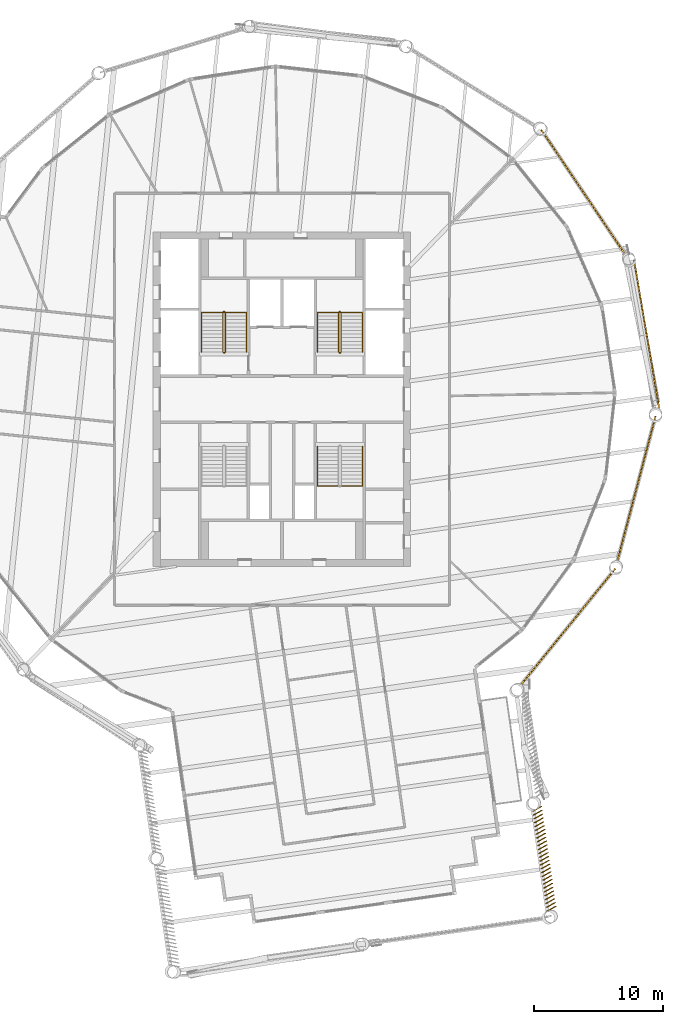
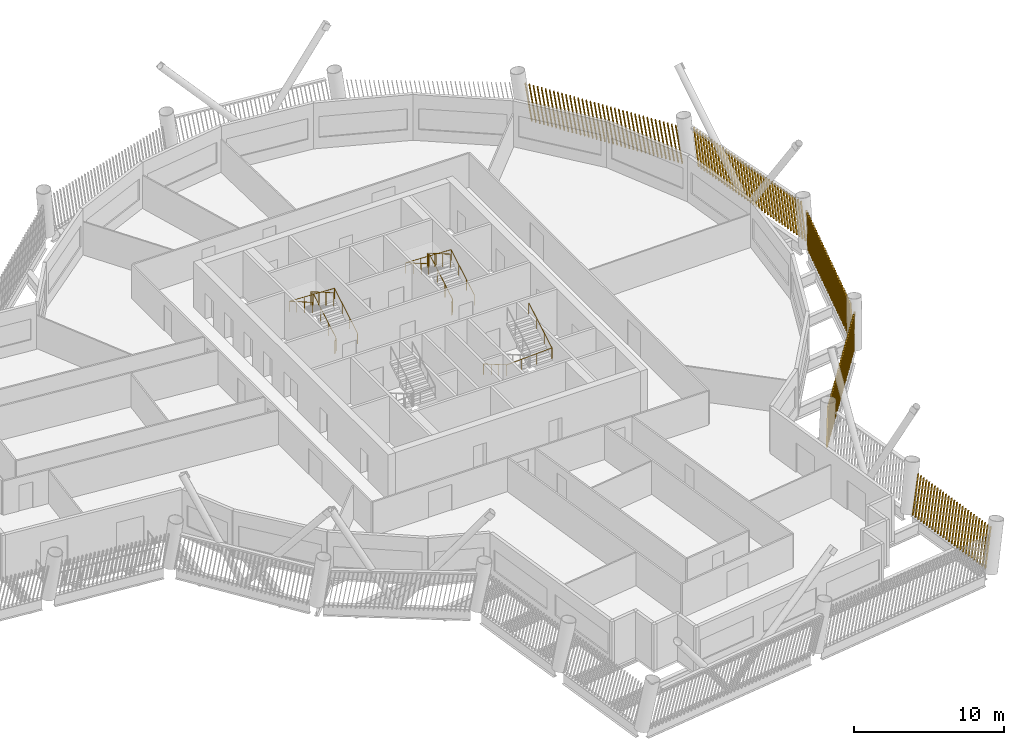
# One storey, part 20 of 22: 5 railings, 5 shading devices.
"""IFC4 building model written with IfcOpenShell, lengths in metres."""

from ifc_helpers import new_model, si_unit, direction, frame, frame_2d, origin, origin_2d, place, context, subcontext, project, spatial, rectangle, circle, composite_profile, extrude, material, type_object, element, save


model = new_model("IFC4")

# Units and contexts
model_context = context("Model", 3, precision=1e-05, world=origin(), true_north=direction((0.0, 1.0)))
body_context = subcontext(model_context, "Body", "Model", "MODEL_VIEW")
ifc_project = project(units=[si_unit("LENGTHUNIT", "METRE"), si_unit("AREAUNIT", "SQUARE_METRE"), si_unit("VOLUMEUNIT", "CUBIC_METRE"), si_unit("PLANEANGLEUNIT", "RADIAN"), si_unit("MASSUNIT", "GRAM", prefix="KILO")], contexts=[model_context])

# Site, building, storey
site_placement = place(None, origin())
site = spatial("IfcSite", under=ifc_project, at=site_placement, CompositionType="ELEMENT")
building_placement = place(site_placement, origin())
building = spatial("IfcBuilding", under=site, at=building_placement, Name="Tarsis Ring Headquarters", CompositionType="ELEMENT")
storey_placement = place(building_placement, frame((0.0, 0.0, 263.0)))
storey = spatial("IfcBuildingStorey", under=building, at=storey_placement, Name="L61", CompositionType="ELEMENT", Elevation=263.0)

# Railings
ifc_material_1 = material(Name="Steel S355", Category="steel")
railing_type_1 = type_object("IfcRailingType", Name="Core stair guard 1100", PredefinedType="GUARDRAIL", material=ifc_material_1)
railing_1_placement = place(storey_placement, frame((-4.5400390625, 3.610107421875, 0.0)))
element("IfcRailing", 1, at=railing_1_placement, inside=storey, type_object=railing_type_1, Name="L61 ST1 stair guard 1", PredefinedType="GUARDRAIL", context=body_context, shape_type="SweptSolid", body=[
    extrude(circle(Radius=0.02392578125, at=origin_2d()), frame((0.0, 0.0, 1.076171875), z_axis=(1.0, 0.0, 0.0), x_axis=(0.0, 1.0, 0.0)), (0.0, 0.0, 1.0), 0.080078125),
    extrude(circle(Radius=0.02392578125, at=origin_2d()), frame((0.080078125, 0.0, 1.076171875), z_axis=(0.282336740067, 0.280959487676, 0.917250092119), x_axis=(-0.705375805398, 0.708833529934, 0.0)), (0.0, 0.0, 1.0), 0.17724609375),
    extrude(circle(Radius=0.02392578125, at=origin_2d()), frame((0.130126953125, 0.0498046875, 1.23876953125), z_axis=(0.0, 0.864920483161, 0.501908913857), x_axis=(-1.0, 0.0, 0.0)), (0.0, 0.0, 1.0), 3.56103515625),
    extrude(circle(Radius=0.02392578125, at=origin_2d()), frame((0.130126953125, 3.1298828125, 3.02587890625), z_axis=(-0.707106781187, 0.707106781187, 0.0), x_axis=(-0.707106781187, -0.707106781187, 0.0)), (0.0, 0.0, 1.0), 0.07080078125),
    extrude(circle(Radius=0.02392578125, at=origin_2d()), frame((0.080078125, 3.179931640625, 3.02587890625), z_axis=(-1.0, 0.0, 0.0), x_axis=(0.0, -1.0, 0.0)), (0.0, 0.0, 1.0), 0.080078125),
    extrude(circle(Radius=0.02392578125, at=origin_2d()), frame((0.0, 3.179931640625, 3.02587890625), z_axis=(-0.282227285176, -0.282227285176, 0.916894497205), x_axis=(0.707106781187, -0.707106781187, 0.0)), (0.0, 0.0, 1.0), 0.17724609375),
    extrude(circle(Radius=0.02392578125, at=origin_2d()), frame((-0.050048828125, 3.1298828125, 3.1884765625), z_axis=(0.0, -0.864920483161, 0.501908913857), x_axis=(1.0, 0.0, 0.0)), (0.0, 0.0, 1.0), 3.56103515625),
    extrude(circle(Radius=0.02099609375, at=origin_2d()), origin(), (0.0, 0.0, 1.0), 1.052001953125),
    extrude(circle(Radius=0.02099609375, at=origin_2d()), frame((0.080078125, 0.0, 0.0)), (0.0, 0.0, 1.0), 1.052001953125),
    extrude(circle(Radius=0.02099609375, at=origin_2d()), frame((0.130126953125, 0.0498046875, 0.16259765625)), (0.0, 0.0, 1.0), 1.052001953125),
    extrude(circle(Radius=0.02099609375, at=origin_2d()), frame((0.130126953125, 1.076416015625, 0.75830078125)), (0.0, 0.0, 1.0), 1.052001953125),
    extrude(circle(Radius=0.02099609375, at=origin_2d()), frame((0.130126953125, 2.103271484375, 1.354248046875)), (0.0, 0.0, 1.0), 1.052001953125),
    extrude(circle(Radius=0.02099609375, at=origin_2d()), frame((0.130126953125, 3.1298828125, 1.949951171875)), (0.0, 0.0, 1.0), 1.052001953125),
    extrude(circle(Radius=0.02099609375, at=origin_2d()), frame((0.080078125, 3.179931640625, 1.949951171875)), (0.0, 0.0, 1.0), 1.052001953125),
    extrude(circle(Radius=0.02099609375, at=origin_2d()), frame((0.0, 3.179931640625, 1.949951171875)), (0.0, 0.0, 1.0), 1.052001953125),
    extrude(circle(Radius=0.02099609375, at=origin_2d()), frame((-0.050048828125, 3.1298828125, 2.112548828125)), (0.0, 0.0, 1.0), 1.052001953125),
    extrude(circle(Radius=0.02099609375, at=origin_2d()), frame((-0.050048828125, 2.103271484375, 2.708251953125)), (0.0, 0.0, 1.0), 1.052001953125),
    extrude(circle(Radius=0.02099609375, at=origin_2d()), frame((-0.050048828125, 1.076416015625, 3.30419921875)), (0.0, 0.0, 1.0), 1.052001953125),
    extrude(circle(Radius=0.02099609375, at=origin_2d()), frame((-0.050048828125, 0.0498046875, 3.89990234375)), (0.0, 0.0, 1.0), 1.052001953125),
])
railing_2_placement = place(storey_placement, frame((4.4599609375, 3.610107421875, 0.0)))
element("IfcRailing", 2, at=railing_2_placement, inside=storey, type_object=railing_type_1, Name="L61 ST2 stair guard 1", PredefinedType="GUARDRAIL", context=body_context, shape_type="SweptSolid", body=[
    extrude(circle(Radius=0.02392578125, at=origin_2d()), frame((0.0, 0.0, 1.076171875), z_axis=(1.0, 0.0, 0.0), x_axis=(0.0, 1.0, 0.0)), (0.0, 0.0, 1.0), 0.080078125),
    extrude(circle(Radius=0.02392578125, at=origin_2d()), frame((0.080078125, 0.0, 1.076171875), z_axis=(0.282336740067, 0.280959487676, 0.917250092119), x_axis=(-0.705375805398, 0.708833529934, 0.0)), (0.0, 0.0, 1.0), 0.17724609375),
    extrude(circle(Radius=0.02392578125, at=origin_2d()), frame((0.130126953125, 0.0498046875, 1.23876953125), z_axis=(0.0, 0.864920483161, 0.501908913857), x_axis=(-1.0, 0.0, 0.0)), (0.0, 0.0, 1.0), 3.56103515625),
    extrude(circle(Radius=0.02392578125, at=origin_2d()), frame((0.130126953125, 3.1298828125, 3.02587890625), z_axis=(-0.707106781187, 0.707106781187, 0.0), x_axis=(-0.707106781187, -0.707106781187, 0.0)), (0.0, 0.0, 1.0), 0.07080078125),
    extrude(circle(Radius=0.02392578125, at=origin_2d()), frame((0.080078125, 3.179931640625, 3.02587890625), z_axis=(-1.0, 0.0, 0.0), x_axis=(0.0, -1.0, 0.0)), (0.0, 0.0, 1.0), 0.080078125),
    extrude(circle(Radius=0.02392578125, at=origin_2d()), frame((0.0, 3.179931640625, 3.02587890625), z_axis=(-0.282227285176, -0.282227285176, 0.916894497205), x_axis=(0.707106781187, -0.707106781187, 0.0)), (0.0, 0.0, 1.0), 0.17724609375),
    extrude(circle(Radius=0.02392578125, at=origin_2d()), frame((-0.050048828125, 3.1298828125, 3.1884765625), z_axis=(0.0, -0.864920483161, 0.501908913857), x_axis=(1.0, 0.0, 0.0)), (0.0, 0.0, 1.0), 3.56103515625),
    extrude(circle(Radius=0.02099609375, at=origin_2d()), origin(), (0.0, 0.0, 1.0), 1.052001953125),
    extrude(circle(Radius=0.02099609375, at=origin_2d()), frame((0.080078125, 0.0, 0.0)), (0.0, 0.0, 1.0), 1.052001953125),
    extrude(circle(Radius=0.02099609375, at=origin_2d()), frame((0.130126953125, 0.0498046875, 0.16259765625)), (0.0, 0.0, 1.0), 1.052001953125),
    extrude(circle(Radius=0.02099609375, at=origin_2d()), frame((0.130126953125, 1.076416015625, 0.75830078125)), (0.0, 0.0, 1.0), 1.052001953125),
    extrude(circle(Radius=0.02099609375, at=origin_2d()), frame((0.130126953125, 2.103271484375, 1.354248046875)), (0.0, 0.0, 1.0), 1.052001953125),
    extrude(circle(Radius=0.02099609375, at=origin_2d()), frame((0.130126953125, 3.1298828125, 1.949951171875)), (0.0, 0.0, 1.0), 1.052001953125),
    extrude(circle(Radius=0.02099609375, at=origin_2d()), frame((0.080078125, 3.179931640625, 1.949951171875)), (0.0, 0.0, 1.0), 1.052001953125),
    extrude(circle(Radius=0.02099609375, at=origin_2d()), frame((0.0, 3.179931640625, 1.949951171875)), (0.0, 0.0, 1.0), 1.052001953125),
    extrude(circle(Radius=0.02099609375, at=origin_2d()), frame((-0.050048828125, 3.1298828125, 2.112548828125)), (0.0, 0.0, 1.0), 1.052001953125),
    extrude(circle(Radius=0.02099609375, at=origin_2d()), frame((-0.050048828125, 2.103271484375, 2.708251953125)), (0.0, 0.0, 1.0), 1.052001953125),
    extrude(circle(Radius=0.02099609375, at=origin_2d()), frame((-0.050048828125, 1.076416015625, 3.30419921875)), (0.0, 0.0, 1.0), 1.052001953125),
    extrude(circle(Radius=0.02099609375, at=origin_2d()), frame((-0.050048828125, 0.0498046875, 3.89990234375)), (0.0, 0.0, 1.0), 1.052001953125),
])
railing_type_2 = type_object("IfcRailingType", Name="Core stair handrail 900", PredefinedType="HANDRAIL", material=ifc_material_1)
railing_3_placement = place(storey_placement, frame((-2.75, 3.659912109375, 0.16259765625)))
element("IfcRailing", 3, at=railing_3_placement, inside=storey, type_object=railing_type_2, Name="L61 ST1 stair handrail 1", PredefinedType="HANDRAIL", context=body_context, shape_type="SweptSolid", body=[
    extrude(circle(Radius=0.02392578125, at=origin_2d()), frame((0.0, 0.0, 0.8759765625), z_axis=(0.0, 0.864920483161, 0.501908913857), x_axis=(-1.0, 0.0, 0.0)), (0.0, 0.0, 1.0), 3.56103515625),
    extrude(circle(Radius=0.02392578125, at=origin_2d()), frame((0.0, 3.080078125, 2.6630859375), z_axis=(-0.998922641604, 0.0, 0.046406422943), x_axis=(0.0, -1.0, 0.0)), (0.0, 0.0, 1.0), 3.503662109375),
    extrude(circle(Radius=0.02392578125, at=origin_2d()), frame((-3.5, 3.080078125, 2.82568359375), z_axis=(0.0, -0.864920483161, 0.501908913857), x_axis=(1.0, 0.0, 0.0)), (0.0, 0.0, 1.0), 3.56103515625),
    extrude(circle(Radius=0.02099609375, at=origin_2d()), origin(), (0.0, 0.0, 1.0), 0.851806640625),
    extrude(circle(Radius=0.02099609375, at=origin_2d()), frame((0.0, 1.026611328125, 0.595703125)), (0.0, 0.0, 1.0), 0.851806640625),
    extrude(circle(Radius=0.02099609375, at=origin_2d()), frame((0.0, 2.053466796875, 1.191650390625)), (0.0, 0.0, 1.0), 0.851806640625),
    extrude(circle(Radius=0.02099609375, at=origin_2d()), frame((0.0, 3.080078125, 1.787353515625)), (0.0, 0.0, 1.0), 0.851806640625),
    extrude(circle(Radius=0.02099609375, at=origin_2d()), frame((-1.166748046875, 3.080078125, 1.841552734375)), (0.0, 0.0, 1.0), 0.851806640625),
    extrude(circle(Radius=0.02099609375, at=origin_2d()), frame((-2.333251953125, 3.080078125, 1.895751953125)), (0.0, 0.0, 1.0), 0.851806640625),
    extrude(circle(Radius=0.02099609375, at=origin_2d()), frame((-3.5, 3.080078125, 1.949951171875)), (0.0, 0.0, 1.0), 0.851806640625),
    extrude(circle(Radius=0.02099609375, at=origin_2d()), frame((-3.5, 2.053466796875, 2.545654296875)), (0.0, 0.0, 1.0), 0.851806640625),
    extrude(circle(Radius=0.02099609375, at=origin_2d()), frame((-3.5, 1.026611328125, 3.1416015625)), (0.0, 0.0, 1.0), 0.851806640625),
    extrude(circle(Radius=0.02099609375, at=origin_2d()), frame((-3.5, 0.0, 3.7373046875)), (0.0, 0.0, 1.0), 0.851806640625),
])
railing_4_placement = place(storey_placement, frame((6.25, 3.659912109375, 0.16259765625)))
element("IfcRailing", 4, at=railing_4_placement, inside=storey, type_object=railing_type_2, Name="L61 ST2 stair handrail 1", PredefinedType="HANDRAIL", context=body_context, shape_type="SweptSolid", body=[
    extrude(circle(Radius=0.02392578125, at=origin_2d()), frame((0.0, 0.0, 0.8759765625), z_axis=(0.0, 0.864920483161, 0.501908913857), x_axis=(-1.0, 0.0, 0.0)), (0.0, 0.0, 1.0), 3.56103515625),
    extrude(circle(Radius=0.02392578125, at=origin_2d()), frame((0.0, 3.080078125, 2.6630859375), z_axis=(-0.998922641604, 0.0, 0.046406422943), x_axis=(0.0, -1.0, 0.0)), (0.0, 0.0, 1.0), 3.503662109375),
    extrude(circle(Radius=0.02392578125, at=origin_2d()), frame((-3.5, 3.080078125, 2.82568359375), z_axis=(0.0, -0.864920483161, 0.501908913857), x_axis=(1.0, 0.0, 0.0)), (0.0, 0.0, 1.0), 3.56103515625),
    extrude(circle(Radius=0.02099609375, at=origin_2d()), origin(), (0.0, 0.0, 1.0), 0.851806640625),
    extrude(circle(Radius=0.02099609375, at=origin_2d()), frame((0.0, 1.026611328125, 0.595703125)), (0.0, 0.0, 1.0), 0.851806640625),
    extrude(circle(Radius=0.02099609375, at=origin_2d()), frame((0.0, 2.053466796875, 1.191650390625)), (0.0, 0.0, 1.0), 0.851806640625),
    extrude(circle(Radius=0.02099609375, at=origin_2d()), frame((0.0, 3.080078125, 1.787353515625)), (0.0, 0.0, 1.0), 0.851806640625),
    extrude(circle(Radius=0.02099609375, at=origin_2d()), frame((-1.166748046875, 3.080078125, 1.841552734375)), (0.0, 0.0, 1.0), 0.851806640625),
    extrude(circle(Radius=0.02099609375, at=origin_2d()), frame((-2.333251953125, 3.080078125, 1.895751953125)), (0.0, 0.0, 1.0), 0.851806640625),
    extrude(circle(Radius=0.02099609375, at=origin_2d()), frame((-3.5, 3.080078125, 1.949951171875)), (0.0, 0.0, 1.0), 0.851806640625),
    extrude(circle(Radius=0.02099609375, at=origin_2d()), frame((-3.5, 2.053466796875, 2.545654296875)), (0.0, 0.0, 1.0), 0.851806640625),
    extrude(circle(Radius=0.02099609375, at=origin_2d()), frame((-3.5, 1.026611328125, 3.1416015625)), (0.0, 0.0, 1.0), 0.851806640625),
    extrude(circle(Radius=0.02099609375, at=origin_2d()), frame((-3.5, 0.0, 3.7373046875)), (0.0, 0.0, 1.0), 0.851806640625),
])
railing_5_placement = place(storey_placement, frame((2.75, -3.659912109375, 0.16259765625)))
element("IfcRailing", 5, at=railing_5_placement, inside=storey, type_object=railing_type_2, Name="L61 ST4 stair handrail 1", PredefinedType="HANDRAIL", context=body_context, shape_type="SweptSolid", body=[
    extrude(circle(Radius=0.02392578125, at=origin_2d()), frame((0.0, 0.0, 0.8759765625), z_axis=(0.0, -0.864920483161, 0.501908913857), x_axis=(1.0, 0.0, 0.0)), (0.0, 0.0, 1.0), 3.56103515625),
    extrude(circle(Radius=0.02392578125, at=origin_2d()), frame((0.0, -3.080078125, 2.6630859375), z_axis=(0.998922641604, 0.0, 0.046406422943), x_axis=(0.0, 1.0, 0.0)), (0.0, 0.0, 1.0), 3.503662109375),
    extrude(circle(Radius=0.02392578125, at=origin_2d()), frame((3.5, -3.080078125, 2.82568359375), z_axis=(0.0, 0.864920483161, 0.501908913857), x_axis=(-1.0, 0.0, 0.0)), (0.0, 0.0, 1.0), 3.56103515625),
    extrude(circle(Radius=0.02099609375, at=origin_2d()), origin(), (0.0, 0.0, 1.0), 0.851806640625),
    extrude(circle(Radius=0.02099609375, at=origin_2d()), frame((0.0, -1.026611328125, 0.595703125)), (0.0, 0.0, 1.0), 0.851806640625),
    extrude(circle(Radius=0.02099609375, at=origin_2d()), frame((0.0, -2.053466796875, 1.191650390625)), (0.0, 0.0, 1.0), 0.851806640625),
    extrude(circle(Radius=0.02099609375, at=origin_2d()), frame((0.0, -3.080078125, 1.787353515625)), (0.0, 0.0, 1.0), 0.851806640625),
    extrude(circle(Radius=0.02099609375, at=origin_2d()), frame((1.166748046875, -3.080078125, 1.841552734375)), (0.0, 0.0, 1.0), 0.851806640625),
    extrude(circle(Radius=0.02099609375, at=origin_2d()), frame((2.333251953125, -3.080078125, 1.895751953125)), (0.0, 0.0, 1.0), 0.851806640625),
    extrude(circle(Radius=0.02099609375, at=origin_2d()), frame((3.5, -3.080078125, 1.949951171875)), (0.0, 0.0, 1.0), 0.851806640625),
    extrude(circle(Radius=0.02099609375, at=origin_2d()), frame((3.5, -2.053466796875, 2.545654296875)), (0.0, 0.0, 1.0), 0.851806640625),
    extrude(circle(Radius=0.02099609375, at=origin_2d()), frame((3.5, -1.026611328125, 3.1416015625)), (0.0, 0.0, 1.0), 0.851806640625),
    extrude(circle(Radius=0.02099609375, at=origin_2d()), frame((3.5, 0.0, 3.7373046875)), (0.0, 0.0, 1.0), 0.851806640625),
])

# Shading devices
ifc_material_2 = material(Name="Terracotta baguette", Category="masonry")
shading_device_type = type_object("IfcShadingDeviceType", Name="Terracotta baguette screen", PredefinedType="USERDEFINED", material=ifc_material_2)
shading_device_1_placement = place(storey_placement, frame((20.62646484375, -39.785400390625, 0.0), z_axis=(0.0, 0.0, 1.0), x_axis=(-0.141250617894, 0.989959218982, 0.0)))
element("IfcShadingDevice", 6, at=shading_device_1_placement, inside=storey, type_object=shading_device_type, Name="Baguette screen L61-05", ObjectType="Terracotta baguette screen", PredefinedType="USERDEFINED", context=body_context, shape_type="SweptSolid", body=[
    extrude(composite_profile([rectangle(XDim=0.06005859375, YDim=0.1201171875, at=frame_2d((0.030029296875, 0.0))), rectangle(XDim=0.06005859375, YDim=0.1201171875, at=frame_2d((0.33154296875, 0.0))), rectangle(XDim=0.06005859375, YDim=0.1201171875, at=frame_2d((0.63330078125, 0.0))), rectangle(XDim=0.06005859375, YDim=0.1201171875, at=frame_2d((0.934814453125, 0.0))), rectangle(XDim=0.06005859375, YDim=0.1201171875, at=frame_2d((1.236572265625, 0.0))), rectangle(XDim=0.06005859375, YDim=0.1201171875, at=frame_2d((1.5380859375, 0.0))), rectangle(XDim=0.06005859375, YDim=0.1201171875, at=frame_2d((1.83984375, 0.0))), rectangle(XDim=0.06005859375, YDim=0.1201171875, at=frame_2d((2.141357421875, 0.0))), rectangle(XDim=0.06005859375, YDim=0.1201171875, at=frame_2d((2.443115234375, 0.0))), rectangle(XDim=0.06005859375, YDim=0.1201171875, at=frame_2d((2.74462890625, 0.0))), rectangle(XDim=0.06005859375, YDim=0.1201171875, at=frame_2d((3.04638671875, 0.0))), rectangle(XDim=0.06005859375, YDim=0.1201171875, at=frame_2d((3.347900390625, 0.0))), rectangle(XDim=0.06005859375, YDim=0.1201171875, at=frame_2d((3.649658203125, 0.0))), rectangle(XDim=0.06005859375, YDim=0.1201171875, at=frame_2d((3.951171875, 0.0))), rectangle(XDim=0.06005859375, YDim=0.1201171875, at=frame_2d((4.252685546875, 0.0))), rectangle(XDim=0.06005859375, YDim=0.1201171875, at=frame_2d((4.554443359375, 0.0))), rectangle(XDim=0.06005859375, YDim=0.1201171875, at=frame_2d((4.85595703125, 0.0))), rectangle(XDim=0.06005859375, YDim=0.1201171875, at=frame_2d((5.15771484375, 0.0))), rectangle(XDim=0.06005859375, YDim=0.1201171875, at=frame_2d((5.459228515625, 0.0))), rectangle(XDim=0.06005859375, YDim=0.1201171875, at=frame_2d((5.760986328125, 0.0))), rectangle(XDim=0.06005859375, YDim=0.1201171875, at=frame_2d((6.0625, 0.0))), rectangle(XDim=0.06005859375, YDim=0.1201171875, at=frame_2d((6.3642578125, 0.0))), rectangle(XDim=0.06005859375, YDim=0.1201171875, at=frame_2d((6.665771484375, 0.0))), rectangle(XDim=0.06005859375, YDim=0.1201171875, at=frame_2d((6.967529296875, 0.0))), rectangle(XDim=0.06005859375, YDim=0.1201171875, at=frame_2d((7.26904296875, 0.0))), rectangle(XDim=0.06005859375, YDim=0.1201171875, at=frame_2d((7.57080078125, 0.0))), rectangle(XDim=0.06005859375, YDim=0.1201171875, at=frame_2d((7.872314453125, 0.0)))]), origin(), (0.086507103146, -0.218461264673, 0.972003702124), 3.05322265625),
])
shading_device_2_placement = place(storey_placement, frame((18.497314453125, -22.266357421875, 0.0), z_axis=(0.0, 0.0, 1.0), x_axis=(0.630385241454, 0.776277807922, 0.0)))
element("IfcShadingDevice", 7, at=shading_device_2_placement, inside=storey, type_object=shading_device_type, Name="Baguette screen L61-07", ObjectType="Terracotta baguette screen", PredefinedType="USERDEFINED", context=body_context, shape_type="SweptSolid", body=[
    extrude(composite_profile([rectangle(XDim=0.06005859375, YDim=0.1201171875, at=frame_2d((0.030029296875, 0.0))), rectangle(XDim=0.06005859375, YDim=0.1201171875, at=frame_2d((0.33251953125, 0.0))), rectangle(XDim=0.06005859375, YDim=0.1201171875, at=frame_2d((0.634765625, 0.0))), rectangle(XDim=0.06005859375, YDim=0.1201171875, at=frame_2d((0.937255859375, 0.0))), rectangle(XDim=0.06005859375, YDim=0.1201171875, at=frame_2d((1.239501953125, 0.0))), rectangle(XDim=0.06005859375, YDim=0.1201171875, at=frame_2d((1.5419921875, 0.0))), rectangle(XDim=0.06005859375, YDim=0.1201171875, at=frame_2d((1.844482421875, 0.0))), rectangle(XDim=0.06005859375, YDim=0.1201171875, at=frame_2d((2.146728515625, 0.0))), rectangle(XDim=0.06005859375, YDim=0.1201171875, at=frame_2d((2.44921875, 0.0))), rectangle(XDim=0.06005859375, YDim=0.1201171875, at=frame_2d((2.751708984375, 0.0))), rectangle(XDim=0.06005859375, YDim=0.1201171875, at=frame_2d((3.053955078125, 0.0))), rectangle(XDim=0.06005859375, YDim=0.1201171875, at=frame_2d((3.3564453125, 0.0))), rectangle(XDim=0.06005859375, YDim=0.1201171875, at=frame_2d((3.65869140625, 0.0))), rectangle(XDim=0.06005859375, YDim=0.1201171875, at=frame_2d((3.961181640625, 0.0))), rectangle(XDim=0.06005859375, YDim=0.1201171875, at=frame_2d((4.263671875, 0.0))), rectangle(XDim=0.06005859375, YDim=0.1201171875, at=frame_2d((4.56591796875, 0.0))), rectangle(XDim=0.06005859375, YDim=0.1201171875, at=frame_2d((4.868408203125, 0.0))), rectangle(XDim=0.06005859375, YDim=0.1201171875, at=frame_2d((5.1708984375, 0.0))), rectangle(XDim=0.06005859375, YDim=0.1201171875, at=frame_2d((5.47314453125, 0.0))), rectangle(XDim=0.06005859375, YDim=0.1201171875, at=frame_2d((5.775634765625, 0.0))), rectangle(XDim=0.06005859375, YDim=0.1201171875, at=frame_2d((6.077880859375, 0.0))), rectangle(XDim=0.06005859375, YDim=0.1201171875, at=frame_2d((6.38037109375, 0.0))), rectangle(XDim=0.06005859375, YDim=0.1201171875, at=frame_2d((6.682861328125, 0.0))), rectangle(XDim=0.06005859375, YDim=0.1201171875, at=frame_2d((6.985107421875, 0.0))), rectangle(XDim=0.06005859375, YDim=0.1201171875, at=frame_2d((7.28759765625, 0.0))), rectangle(XDim=0.06005859375, YDim=0.1201171875, at=frame_2d((7.590087890625, 0.0))), rectangle(XDim=0.06005859375, YDim=0.1201171875, at=frame_2d((7.892333984375, 0.0))), rectangle(XDim=0.06005859375, YDim=0.1201171875, at=frame_2d((8.19482421875, 0.0))), rectangle(XDim=0.06005859375, YDim=0.1201171875, at=frame_2d((8.4970703125, 0.0))), rectangle(XDim=0.06005859375, YDim=0.1201171875, at=frame_2d((8.799560546875, 0.0))), rectangle(XDim=0.06005859375, YDim=0.1201171875, at=frame_2d((9.10205078125, 0.0))), rectangle(XDim=0.06005859375, YDim=0.1201171875, at=frame_2d((9.404296875, 0.0))), rectangle(XDim=0.06005859375, YDim=0.1201171875, at=frame_2d((9.706787109375, 0.0))), rectangle(XDim=0.06005859375, YDim=0.1201171875, at=frame_2d((10.00927734375, 0.0))), rectangle(XDim=0.06005859375, YDim=0.1201171875, at=frame_2d((10.3115234375, 0.0))), rectangle(XDim=0.06005859375, YDim=0.1201171875, at=frame_2d((10.614013671875, 0.0))), rectangle(XDim=0.06005859375, YDim=0.1201171875, at=frame_2d((10.916259765625, 0.0))), rectangle(XDim=0.06005859375, YDim=0.1201171875, at=frame_2d((11.21875, 0.0)))]), origin(), (0.164702656017, 0.001437382629, 0.986342216998), 3.0087890625),
])
shading_device_3_placement = place(storey_placement, frame((26.03076171875, -12.662353515625, 0.0), z_axis=(0.0, 0.0, 1.0), x_axis=(0.254384061116, 0.967097838354, 0.0)))
element("IfcShadingDevice", 8, at=shading_device_3_placement, inside=storey, type_object=shading_device_type, Name="Baguette screen L61-08", ObjectType="Terracotta baguette screen", PredefinedType="USERDEFINED", context=body_context, shape_type="SweptSolid", body=[
    extrude(composite_profile([rectangle(XDim=0.06005859375, YDim=0.1201171875, at=frame_2d((0.030029296875, 0.0))), rectangle(XDim=0.06005859375, YDim=0.1201171875, at=frame_2d((0.33251953125, 0.0))), rectangle(XDim=0.06005859375, YDim=0.1201171875, at=frame_2d((0.634765625, 0.0))), rectangle(XDim=0.06005859375, YDim=0.1201171875, at=frame_2d((0.937255859375, 0.0))), rectangle(XDim=0.06005859375, YDim=0.1201171875, at=frame_2d((1.239501953125, 0.0))), rectangle(XDim=0.06005859375, YDim=0.1201171875, at=frame_2d((1.5419921875, 0.0))), rectangle(XDim=0.06005859375, YDim=0.1201171875, at=frame_2d((1.844482421875, 0.0))), rectangle(XDim=0.06005859375, YDim=0.1201171875, at=frame_2d((2.146728515625, 0.0))), rectangle(XDim=0.06005859375, YDim=0.1201171875, at=frame_2d((2.44921875, 0.0))), rectangle(XDim=0.06005859375, YDim=0.1201171875, at=frame_2d((2.751708984375, 0.0))), rectangle(XDim=0.06005859375, YDim=0.1201171875, at=frame_2d((3.053955078125, 0.0))), rectangle(XDim=0.06005859375, YDim=0.1201171875, at=frame_2d((3.3564453125, 0.0))), rectangle(XDim=0.06005859375, YDim=0.1201171875, at=frame_2d((3.65869140625, 0.0))), rectangle(XDim=0.06005859375, YDim=0.1201171875, at=frame_2d((3.961181640625, 0.0))), rectangle(XDim=0.06005859375, YDim=0.1201171875, at=frame_2d((4.263671875, 0.0))), rectangle(XDim=0.06005859375, YDim=0.1201171875, at=frame_2d((4.56591796875, 0.0))), rectangle(XDim=0.06005859375, YDim=0.1201171875, at=frame_2d((4.868408203125, 0.0))), rectangle(XDim=0.06005859375, YDim=0.1201171875, at=frame_2d((5.1708984375, 0.0))), rectangle(XDim=0.06005859375, YDim=0.1201171875, at=frame_2d((5.47314453125, 0.0))), rectangle(XDim=0.06005859375, YDim=0.1201171875, at=frame_2d((5.775634765625, 0.0))), rectangle(XDim=0.06005859375, YDim=0.1201171875, at=frame_2d((6.077880859375, 0.0))), rectangle(XDim=0.06005859375, YDim=0.1201171875, at=frame_2d((6.38037109375, 0.0))), rectangle(XDim=0.06005859375, YDim=0.1201171875, at=frame_2d((6.682861328125, 0.0))), rectangle(XDim=0.06005859375, YDim=0.1201171875, at=frame_2d((6.985107421875, 0.0))), rectangle(XDim=0.06005859375, YDim=0.1201171875, at=frame_2d((7.28759765625, 0.0))), rectangle(XDim=0.06005859375, YDim=0.1201171875, at=frame_2d((7.590087890625, 0.0))), rectangle(XDim=0.06005859375, YDim=0.1201171875, at=frame_2d((7.892333984375, 0.0))), rectangle(XDim=0.06005859375, YDim=0.1201171875, at=frame_2d((8.19482421875, 0.0))), rectangle(XDim=0.06005859375, YDim=0.1201171875, at=frame_2d((8.4970703125, 0.0))), rectangle(XDim=0.06005859375, YDim=0.1201171875, at=frame_2d((8.799560546875, 0.0))), rectangle(XDim=0.06005859375, YDim=0.1201171875, at=frame_2d((9.10205078125, 0.0))), rectangle(XDim=0.06005859375, YDim=0.1201171875, at=frame_2d((9.404296875, 0.0))), rectangle(XDim=0.06005859375, YDim=0.1201171875, at=frame_2d((9.706787109375, 0.0))), rectangle(XDim=0.06005859375, YDim=0.1201171875, at=frame_2d((10.00927734375, 0.0))), rectangle(XDim=0.06005859375, YDim=0.1201171875, at=frame_2d((10.3115234375, 0.0))), rectangle(XDim=0.06005859375, YDim=0.1201171875, at=frame_2d((10.614013671875, 0.0))), rectangle(XDim=0.06005859375, YDim=0.1201171875, at=frame_2d((10.916259765625, 0.0))), rectangle(XDim=0.06005859375, YDim=0.1201171875, at=frame_2d((11.21875, 0.0)))]), origin(), (0.164702432545, 0.001440216944, 0.986342250179), 3.0087890625),
])
shading_device_4_placement = place(storey_placement, frame((29.3056640625, -0.744384765625, 0.0), z_axis=(0.0, 0.0, 1.0), x_axis=(-0.166880086815, 0.985979381443, 0.0)))
element("IfcShadingDevice", 9, at=shading_device_4_placement, inside=storey, type_object=shading_device_type, Name="Baguette screen L61-09", ObjectType="Terracotta baguette screen", PredefinedType="USERDEFINED", context=body_context, shape_type="SweptSolid", body=[
    extrude(composite_profile([rectangle(XDim=0.06005859375, YDim=0.1201171875, at=frame_2d((0.030029296875, 0.0))), rectangle(XDim=0.06005859375, YDim=0.1201171875, at=frame_2d((0.33251953125, 0.0))), rectangle(XDim=0.06005859375, YDim=0.1201171875, at=frame_2d((0.634765625, 0.0))), rectangle(XDim=0.06005859375, YDim=0.1201171875, at=frame_2d((0.937255859375, 0.0))), rectangle(XDim=0.06005859375, YDim=0.1201171875, at=frame_2d((1.239501953125, 0.0))), rectangle(XDim=0.06005859375, YDim=0.1201171875, at=frame_2d((1.5419921875, 0.0))), rectangle(XDim=0.06005859375, YDim=0.1201171875, at=frame_2d((1.844482421875, 0.0))), rectangle(XDim=0.06005859375, YDim=0.1201171875, at=frame_2d((2.146728515625, 0.0))), rectangle(XDim=0.06005859375, YDim=0.1201171875, at=frame_2d((2.44921875, 0.0))), rectangle(XDim=0.06005859375, YDim=0.1201171875, at=frame_2d((2.751708984375, 0.0))), rectangle(XDim=0.06005859375, YDim=0.1201171875, at=frame_2d((3.053955078125, 0.0))), rectangle(XDim=0.06005859375, YDim=0.1201171875, at=frame_2d((3.3564453125, 0.0))), rectangle(XDim=0.06005859375, YDim=0.1201171875, at=frame_2d((3.65869140625, 0.0))), rectangle(XDim=0.06005859375, YDim=0.1201171875, at=frame_2d((3.961181640625, 0.0))), rectangle(XDim=0.06005859375, YDim=0.1201171875, at=frame_2d((4.263671875, 0.0))), rectangle(XDim=0.06005859375, YDim=0.1201171875, at=frame_2d((4.56591796875, 0.0))), rectangle(XDim=0.06005859375, YDim=0.1201171875, at=frame_2d((4.868408203125, 0.0))), rectangle(XDim=0.06005859375, YDim=0.1201171875, at=frame_2d((5.1708984375, 0.0))), rectangle(XDim=0.06005859375, YDim=0.1201171875, at=frame_2d((5.47314453125, 0.0))), rectangle(XDim=0.06005859375, YDim=0.1201171875, at=frame_2d((5.775634765625, 0.0))), rectangle(XDim=0.06005859375, YDim=0.1201171875, at=frame_2d((6.077880859375, 0.0))), rectangle(XDim=0.06005859375, YDim=0.1201171875, at=frame_2d((6.38037109375, 0.0))), rectangle(XDim=0.06005859375, YDim=0.1201171875, at=frame_2d((6.682861328125, 0.0))), rectangle(XDim=0.06005859375, YDim=0.1201171875, at=frame_2d((6.985107421875, 0.0))), rectangle(XDim=0.06005859375, YDim=0.1201171875, at=frame_2d((7.28759765625, 0.0))), rectangle(XDim=0.06005859375, YDim=0.1201171875, at=frame_2d((7.590087890625, 0.0))), rectangle(XDim=0.06005859375, YDim=0.1201171875, at=frame_2d((7.892333984375, 0.0))), rectangle(XDim=0.06005859375, YDim=0.1201171875, at=frame_2d((8.19482421875, 0.0))), rectangle(XDim=0.06005859375, YDim=0.1201171875, at=frame_2d((8.4970703125, 0.0))), rectangle(XDim=0.06005859375, YDim=0.1201171875, at=frame_2d((8.799560546875, 0.0))), rectangle(XDim=0.06005859375, YDim=0.1201171875, at=frame_2d((9.10205078125, 0.0))), rectangle(XDim=0.06005859375, YDim=0.1201171875, at=frame_2d((9.404296875, 0.0))), rectangle(XDim=0.06005859375, YDim=0.1201171875, at=frame_2d((9.706787109375, 0.0))), rectangle(XDim=0.06005859375, YDim=0.1201171875, at=frame_2d((10.00927734375, 0.0))), rectangle(XDim=0.06005859375, YDim=0.1201171875, at=frame_2d((10.3115234375, 0.0))), rectangle(XDim=0.06005859375, YDim=0.1201171875, at=frame_2d((10.614013671875, 0.0))), rectangle(XDim=0.06005859375, YDim=0.1201171875, at=frame_2d((10.916259765625, 0.0))), rectangle(XDim=0.06005859375, YDim=0.1201171875, at=frame_2d((11.21875, 0.0)))]), origin(), (0.166818527803, 0.001455048002, 0.98598654231), 3.010009765625),
])
shading_device_5_placement = place(storey_placement, frame((26.696044921875, 11.19189453125, 0.0), z_axis=(0.0, 0.0, 1.0), x_axis=(-0.55843733044, 0.829538795442, 0.0)))
element("IfcShadingDevice", 10, at=shading_device_5_placement, inside=storey, type_object=shading_device_type, Name="Baguette screen L61-10", ObjectType="Terracotta baguette screen", PredefinedType="USERDEFINED", context=body_context, shape_type="SweptSolid", body=[
    extrude(composite_profile([rectangle(XDim=0.06005859375, YDim=0.1201171875, at=frame_2d((0.030029296875, 0.0))), rectangle(XDim=0.06005859375, YDim=0.1201171875, at=frame_2d((0.33251953125, 0.0))), rectangle(XDim=0.06005859375, YDim=0.1201171875, at=frame_2d((0.634765625, 0.0))), rectangle(XDim=0.06005859375, YDim=0.1201171875, at=frame_2d((0.937255859375, 0.0))), rectangle(XDim=0.06005859375, YDim=0.1201171875, at=frame_2d((1.239501953125, 0.0))), rectangle(XDim=0.06005859375, YDim=0.1201171875, at=frame_2d((1.5419921875, 0.0))), rectangle(XDim=0.06005859375, YDim=0.1201171875, at=frame_2d((1.844482421875, 0.0))), rectangle(XDim=0.06005859375, YDim=0.1201171875, at=frame_2d((2.146728515625, 0.0))), rectangle(XDim=0.06005859375, YDim=0.1201171875, at=frame_2d((2.44921875, 0.0))), rectangle(XDim=0.06005859375, YDim=0.1201171875, at=frame_2d((2.751708984375, 0.0))), rectangle(XDim=0.06005859375, YDim=0.1201171875, at=frame_2d((3.053955078125, 0.0))), rectangle(XDim=0.06005859375, YDim=0.1201171875, at=frame_2d((3.3564453125, 0.0))), rectangle(XDim=0.06005859375, YDim=0.1201171875, at=frame_2d((3.65869140625, 0.0))), rectangle(XDim=0.06005859375, YDim=0.1201171875, at=frame_2d((3.961181640625, 0.0))), rectangle(XDim=0.06005859375, YDim=0.1201171875, at=frame_2d((4.263671875, 0.0))), rectangle(XDim=0.06005859375, YDim=0.1201171875, at=frame_2d((4.56591796875, 0.0))), rectangle(XDim=0.06005859375, YDim=0.1201171875, at=frame_2d((4.868408203125, 0.0))), rectangle(XDim=0.06005859375, YDim=0.1201171875, at=frame_2d((5.1708984375, 0.0))), rectangle(XDim=0.06005859375, YDim=0.1201171875, at=frame_2d((5.47314453125, 0.0))), rectangle(XDim=0.06005859375, YDim=0.1201171875, at=frame_2d((5.775634765625, 0.0))), rectangle(XDim=0.06005859375, YDim=0.1201171875, at=frame_2d((6.077880859375, 0.0))), rectangle(XDim=0.06005859375, YDim=0.1201171875, at=frame_2d((6.38037109375, 0.0))), rectangle(XDim=0.06005859375, YDim=0.1201171875, at=frame_2d((6.682861328125, 0.0))), rectangle(XDim=0.06005859375, YDim=0.1201171875, at=frame_2d((6.985107421875, 0.0))), rectangle(XDim=0.06005859375, YDim=0.1201171875, at=frame_2d((7.28759765625, 0.0))), rectangle(XDim=0.06005859375, YDim=0.1201171875, at=frame_2d((7.590087890625, 0.0))), rectangle(XDim=0.06005859375, YDim=0.1201171875, at=frame_2d((7.892333984375, 0.0))), rectangle(XDim=0.06005859375, YDim=0.1201171875, at=frame_2d((8.19482421875, 0.0))), rectangle(XDim=0.06005859375, YDim=0.1201171875, at=frame_2d((8.4970703125, 0.0))), rectangle(XDim=0.06005859375, YDim=0.1201171875, at=frame_2d((8.799560546875, 0.0))), rectangle(XDim=0.06005859375, YDim=0.1201171875, at=frame_2d((9.10205078125, 0.0))), rectangle(XDim=0.06005859375, YDim=0.1201171875, at=frame_2d((9.404296875, 0.0))), rectangle(XDim=0.06005859375, YDim=0.1201171875, at=frame_2d((9.706787109375, 0.0))), rectangle(XDim=0.06005859375, YDim=0.1201171875, at=frame_2d((10.00927734375, 0.0))), rectangle(XDim=0.06005859375, YDim=0.1201171875, at=frame_2d((10.3115234375, 0.0))), rectangle(XDim=0.06005859375, YDim=0.1201171875, at=frame_2d((10.614013671875, 0.0))), rectangle(XDim=0.06005859375, YDim=0.1201171875, at=frame_2d((10.916259765625, 0.0))), rectangle(XDim=0.06005859375, YDim=0.1201171875, at=frame_2d((11.21875, 0.0)))]), origin(), (0.164702110122, 0.001439234668, 0.986342305452), 3.0087890625),
])

save(model, "model.ifc")
